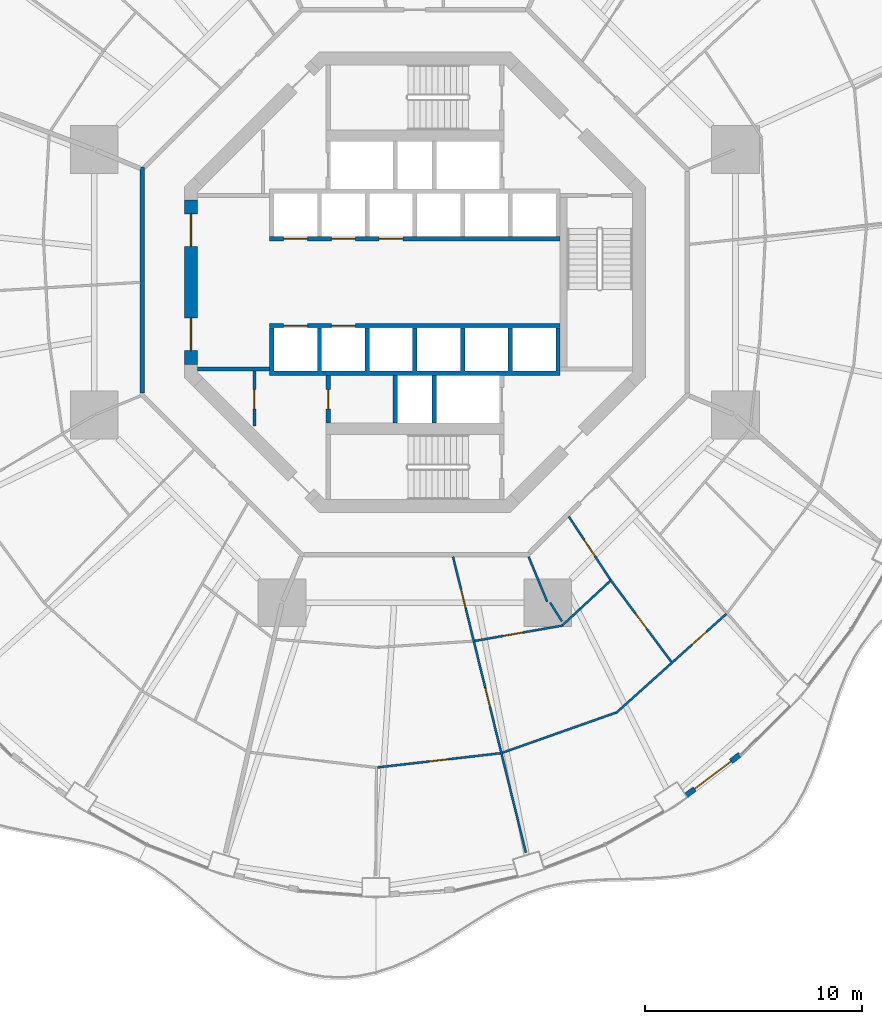
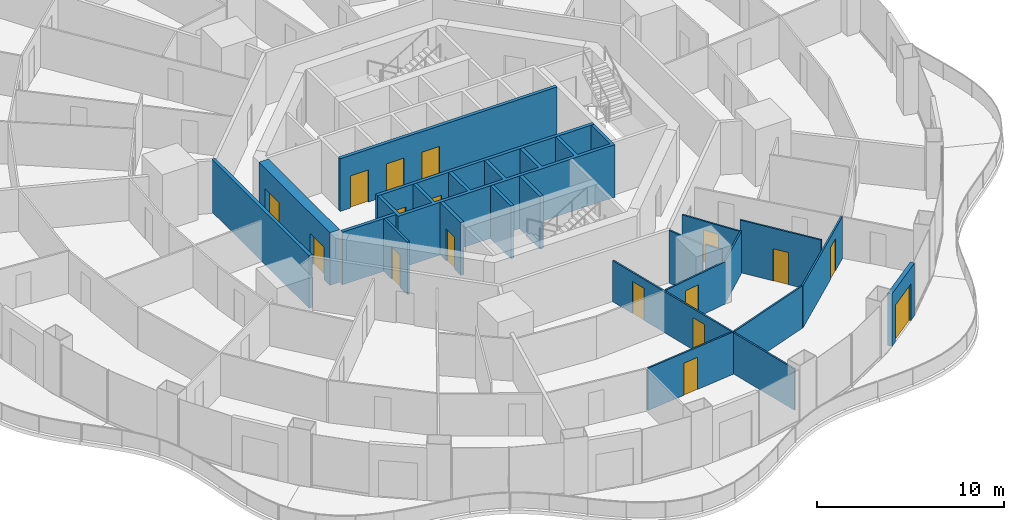
# One storey, part 15 of 22: 21 walls, 17 doors, 17 openings.
"""IFC4 building model written with IfcOpenShell, lengths in metres."""

from ifc_helpers import new_model, si_unit, direction, frame, frame_2d, origin, place, context, subcontext, project, spatial, polyline, rectangle, outline, extrude, material, layer, layer_set, type_object, element, fill, save


model = new_model("IFC4")

# Units and contexts
model_context = context("Model", 3, precision=1e-05, world=origin(), true_north=direction((0.0, 1.0)))
body_context = subcontext(model_context, "Body", "Model", "MODEL_VIEW")
ifc_project = project(units=[si_unit("LENGTHUNIT", "METRE"), si_unit("AREAUNIT", "SQUARE_METRE"), si_unit("VOLUMEUNIT", "CUBIC_METRE"), si_unit("PLANEANGLEUNIT", "RADIAN"), si_unit("MASSUNIT", "GRAM", prefix="KILO")], contexts=[model_context])

# Site, building, storey
site_placement = place(None, origin())
site = spatial("IfcSite", under=ifc_project, at=site_placement, CompositionType="ELEMENT")
building_placement = place(site_placement, origin())
building = spatial("IfcBuilding", under=site, at=building_placement, Name="Nagisa Residences", CompositionType="ELEMENT")
storey_placement = place(building_placement, frame((0.0, 0.0, 99.199951171875)))
storey = spatial("IfcBuildingStorey", under=building, at=storey_placement, Name="L24", CompositionType="ELEMENT", Elevation=99.199951171875)

# Wall
ifc_material_1 = material(Name="Gypsum board on steel studs", Category="steel")
ifc_layer_1 = layer(ifc_material_1, 0.199951171875)
ifc_layer_set_1 = layer_set([ifc_layer_1], Name="Apartment entry wall EI60 200")
wall_type_1 = type_object("IfcWallType", Name="Apartment entry wall EI60 200", PredefinedType="PARTITIONING", material=ifc_layer_set_1)
wall_1_placement = place(storey_placement, frame((-12.564697265625, 5.304443359375, 0.0), z_axis=(0.0, 0.0, 1.0), x_axis=(0.0, -1.0, 0.0)))
element("IfcWall", 1, at=wall_1_placement, inside=storey, type_object=wall_type_1, Name="wall:L24:u14", PredefinedType="PARTITIONING", context=body_context, shape_type="SweptSolid", body=[
    extrude(rectangle(XDim=10.408935546875, YDim=0.199951171875, at=frame_2d((5.20458984375, 0.0))), origin(), (0.0, 0.0, 1.0), 3.43994140625),
])

# Wall, opening, door
ifc_material_2 = material(Name="Gypsum board on steel studs", Category="steel")
ifc_layer_2 = layer(ifc_material_2, 0.10009765625)
ifc_layer_set_2 = layer_set([ifc_layer_2], Name="Apartment partition 100")
wall_type_2 = type_object("IfcWallType", Name="Apartment partition 100", PredefinedType="PARTITIONING", material=ifc_layer_set_2)
wall_2_placement = place(storey_placement, frame((-1.7255859375, -22.375244140625, 0.0), z_axis=(0.0, 0.0, 1.0), x_axis=(0.99339223329, 0.114768771187, 0.0)))
wall_2 = element("IfcWall", 2, at=wall_2_placement, inside=storey, type_object=wall_type_2, Name="wall:L24:u76", PredefinedType="PARTITIONING", context=body_context, shape_type="SweptSolid", body=[
    extrude(rectangle(XDim=5.700927734375, YDim=0.10009765625, at=frame_2d((2.8505859375, 0.0))), origin(), (0.0, 0.0, 1.0), 2.761962890625),
])
opening_1_placement = place(wall_2_placement, frame((2.400390625, 0.0, 0.0)))
opening_1 = element("IfcOpeningElement", 3, at=opening_1_placement, cuts=wall_2, Name="Opening L24-U26", PredefinedType="OPENING", context=body_context, shape_type="SweptSolid", body=[
    extrude(rectangle(XDim=0.89990234375, YDim=2.10009765625, at=frame_2d((0.449951171875, 1.050048828125))), frame((0.0, 0.06005859375, 0.0), z_axis=(0.0, -1.0, 0.0), x_axis=(1.0, 0.0, 0.0)), (0.0, 0.0, 1.0), 0.1201171875),
])
ifc_material_3 = material(Name="Timber door set", Category="wood")
door_type_1 = type_object("IfcDoorType", Name="Apartment door 900x2100", OperationType="NOTDEFINED", PredefinedType="DOOR", material=ifc_material_3)
door_1_placement = place(opening_1_placement, frame((0.89990234375, 0.0, 0.0), x_axis=(-1.0, 0.0, 0.0)))
door_1 = element("IfcDoor", 4, at=door_1_placement, inside=storey, type_object=door_type_1, Name="Door to kitchen, Apartment 24B", OperationType="SINGLE_SWING_LEFT", OverallHeight=2.10009765625, OverallWidth=0.89990234375, PredefinedType="DOOR", context=body_context, shape_type="SweptSolid", body=[
    extrude(rectangle(XDim=0.89990234375, YDim=2.10009765625, at=frame_2d((0.449951171875, 1.050048828125))), frame((0.0, 0.02490234375, 0.0), z_axis=(0.0, -1.0, 0.0), x_axis=(1.0, 0.0, 0.0)), (0.0, 0.0, 1.0), 0.050048828125),
])
fill(opening_1, door_1)

# Wall, openings, doors
wall_3_placement = place(storey_placement, frame((1.7587890625, -12.661865234375, 0.0), z_axis=(0.0, 0.0, 1.0), x_axis=(0.239021819854, -0.971014196412, 0.0)))
wall_3 = element("IfcWall", 5, at=wall_3_placement, inside=storey, type_object=wall_type_2, Name="wall:L24:u77", PredefinedType="PARTITIONING", context=body_context, shape_type="SweptSolid", body=[
    extrude(rectangle(XDim=14.049560546875, YDim=0.10009765625, at=frame_2d((7.02490234375, 0.0))), origin(), (0.0, 0.0, 1.0), 2.68701171875),
])
opening_2_placement = place(wall_3_placement, frame((6.213623046875, 0.0, 0.0)))
opening_2 = element("IfcOpeningElement", 6, at=opening_2_placement, cuts=wall_3, Name="Opening L24-U23", PredefinedType="OPENING", context=body_context, shape_type="SweptSolid", body=[
    extrude(rectangle(XDim=0.89990234375, YDim=2.10009765625, at=frame_2d((0.449951171875, 1.050048828125))), frame((0.0, 0.06005859375, 0.0), z_axis=(0.0, -1.0, 0.0), x_axis=(1.0, 0.0, 0.0)), (0.0, 0.0, 1.0), 0.1201171875),
])
opening_3_placement = place(wall_3_placement, frame((1.552001953125, 0.0, 0.0)))
opening_3 = element("IfcOpeningElement", 7, at=opening_3_placement, cuts=wall_3, Name="Opening L24-U27", PredefinedType="OPENING", context=body_context, shape_type="SweptSolid", body=[
    extrude(rectangle(XDim=0.89990234375, YDim=2.10009765625, at=frame_2d((0.449951171875, 1.050048828125))), frame((0.0, 0.06005859375, 0.0), z_axis=(0.0, -1.0, 0.0), x_axis=(1.0, 0.0, 0.0)), (0.0, 0.0, 1.0), 0.1201171875),
])
door_2_placement = place(opening_2_placement, frame((0.89990234375, 0.0, 0.0), x_axis=(-1.0, 0.0, 0.0)))
door_2 = element("IfcDoor", 8, at=door_2_placement, inside=storey, type_object=door_type_1, Name="Door to dining room, Apartment 24B", OperationType="SINGLE_SWING_RIGHT", OverallHeight=2.10009765625, OverallWidth=0.89990234375, PredefinedType="DOOR", context=body_context, shape_type="SweptSolid", body=[
    extrude(rectangle(XDim=0.89990234375, YDim=2.10009765625, at=frame_2d((0.449951171875, 1.050048828125))), frame((0.0, 0.02490234375, 0.0), z_axis=(0.0, -1.0, 0.0), x_axis=(1.0, 0.0, 0.0)), (0.0, 0.0, 1.0), 0.050048828125),
])
fill(opening_2, door_2)
door_3_placement = place(opening_3_placement, frame((0.89990234375, 0.0, 0.0), x_axis=(-1.0, 0.0, 0.0)))
door_3 = element("IfcDoor", 9, at=door_3_placement, inside=storey, type_object=door_type_1, Name="Door to store, Apartment 24B", OperationType="SINGLE_SWING_RIGHT", OverallHeight=2.10009765625, OverallWidth=0.89990234375, PredefinedType="DOOR", context=body_context, shape_type="SweptSolid", body=[
    extrude(rectangle(XDim=0.89990234375, YDim=2.10009765625, at=frame_2d((0.449951171875, 1.050048828125))), frame((0.0, 0.02490234375, 0.0), z_axis=(0.0, -1.0, 0.0), x_axis=(1.0, 0.0, 0.0)), (0.0, 0.0, 1.0), 0.050048828125),
])
fill(opening_3, door_3)

# Wall, opening, door
wall_4_placement = place(storey_placement, frame((2.76513671875, -16.541015625, 0.0), z_axis=(0.0, 0.0, 1.0), x_axis=(0.984998612286, 0.172562260633, 0.0)))
wall_4 = element("IfcWall", 10, at=wall_4_placement, inside=storey, type_object=wall_type_2, Name="wall:L24:u78", PredefinedType="PARTITIONING", context=body_context, shape_type="SweptSolid", body=[
    extrude(rectangle(XDim=4.134033203125, YDim=0.10009765625, at=frame_2d((2.06689453125, 0.0))), origin(), (0.0, 0.0, 1.0), 2.761962890625),
])
opening_4_placement = place(wall_4_placement, frame((1.343505859375, 0.0, 0.0)))
opening_4 = element("IfcOpeningElement", 11, at=opening_4_placement, cuts=wall_4, Name="Opening L24-U22", PredefinedType="OPENING", context=body_context, shape_type="SweptSolid", body=[
    extrude(rectangle(XDim=0.89990234375, YDim=2.10009765625, at=frame_2d((0.449951171875, 1.050048828125))), frame((0.0, 0.06005859375, 0.0), z_axis=(0.0, -1.0, 0.0), x_axis=(1.0, 0.0, 0.0)), (0.0, 0.0, 1.0), 0.1201171875),
])
door_4_placement = place(opening_4_placement, origin())
door_4 = element("IfcDoor", 12, at=door_4_placement, inside=storey, type_object=door_type_1, Name="Door to laundry, Apartment 24B", OperationType="SINGLE_SWING_RIGHT", OverallHeight=2.10009765625, OverallWidth=0.89990234375, PredefinedType="DOOR", context=body_context, shape_type="SweptSolid", body=[
    extrude(rectangle(XDim=0.89990234375, YDim=2.10009765625, at=frame_2d((0.449951171875, 1.050048828125))), frame((0.0, 0.02490234375, 0.0), z_axis=(0.0, -1.0, 0.0), x_axis=(1.0, 0.0, 0.0)), (0.0, 0.0, 1.0), 0.050048828125),
])
fill(opening_4, door_4)

# Walls
wall_5_placement = place(storey_placement, frame((4.034423828125, -21.698486328125, 0.0), z_axis=(0.0, 0.0, 1.0), x_axis=(0.942864271692, 0.333177077794, 0.0)))
element("IfcWall", 13, at=wall_5_placement, inside=storey, type_object=wall_type_2, Name="wall:L24:u79", PredefinedType="PARTITIONING", context=body_context, shape_type="SweptSolid", body=[
    extrude(rectangle(XDim=5.544921875, YDim=0.10009765625, at=frame_2d((2.7724609375, 0.0))), origin(), (0.0, 0.0, 1.0), 2.761962890625),
])
wall_6_placement = place(storey_placement, frame((5.24267578125, -12.6572265625, 0.0), z_axis=(0.0, 0.0, 1.0), x_axis=(0.382719158442, -0.923864733477, 0.0)))
element("IfcWall", 14, at=wall_6_placement, inside=storey, type_object=wall_type_2, Name="wall:L24:u80", PredefinedType="PARTITIONING", context=body_context, shape_type="SweptSolid", body=[
    extrude(rectangle(XDim=2.25, YDim=0.10009765625, at=frame_2d((1.125, 0.0))), origin(), (0.0, 0.0, 1.0), 3.43994140625),
])
wall_7_placement = place(storey_placement, frame((6.824462890625, -15.80224609375, 0.0), z_axis=(0.0, 0.0, 1.0), x_axis=(0.733007232109, 0.680220844782, 0.0)))
element("IfcWall", 15, at=wall_7_placement, inside=storey, type_object=wall_type_2, Name="wall:L24:u81", PredefinedType="PARTITIONING", context=body_context, shape_type="SweptSolid", body=[
    extrude(rectangle(XDim=2.96923828125, YDim=0.10009765625, at=frame_2d((1.484619140625, 0.0))), origin(), (0.0, 0.0, 1.0), 2.761962890625),
])

# Wall, opening, door
wall_8_placement = place(storey_placement, frame((9.2724609375, -19.86767578125, 0.0), z_axis=(0.0, 0.0, 1.0), x_axis=(0.743884413566, 0.668308296562, 0.0)))
wall_8 = element("IfcWall", 16, at=wall_8_placement, inside=storey, type_object=wall_type_2, Name="wall:L24:u82", PredefinedType="PARTITIONING", context=body_context, shape_type="SweptSolid", body=[
    extrude(rectangle(XDim=6.84521484375, YDim=0.10009765625, at=frame_2d((3.422607421875, 0.0))), origin(), (0.0, 0.0, 1.0), 2.761962890625),
])
opening_5_placement = place(wall_8_placement, frame((4.708984375, 0.0, 0.0)))
opening_5 = element("IfcOpeningElement", 17, at=opening_5_placement, cuts=wall_8, Name="Opening L24-U20", PredefinedType="OPENING", context=body_context, shape_type="SweptSolid", body=[
    extrude(rectangle(XDim=0.89990234375, YDim=2.10009765625, at=frame_2d((0.449951171875, 1.050048828125))), frame((0.0, 0.06005859375, 0.0), z_axis=(0.0, -1.0, 0.0), x_axis=(1.0, 0.0, 0.0)), (0.0, 0.0, 1.0), 0.1201171875),
])
door_5_placement = place(opening_5_placement, frame((0.89990234375, 0.0, 0.0), x_axis=(-1.0, 0.0, 0.0)))
door_5 = element("IfcDoor", 18, at=door_5_placement, inside=storey, type_object=door_type_1, Name="Door to living room, Apartment 24B", OperationType="SINGLE_SWING_LEFT", OverallHeight=2.10009765625, OverallWidth=0.89990234375, PredefinedType="DOOR", context=body_context, shape_type="SweptSolid", body=[
    extrude(rectangle(XDim=0.89990234375, YDim=2.10009765625, at=frame_2d((0.449951171875, 1.050048828125))), frame((0.0, 0.02490234375, 0.0), z_axis=(0.0, -1.0, 0.0), x_axis=(1.0, 0.0, 0.0)), (0.0, 0.0, 1.0), 0.050048828125),
])
fill(opening_5, door_5)

wall_9_placement = place(storey_placement, frame((7.099609375, -10.80810546875, 0.0), z_axis=(0.0, 0.0, 1.0), x_axis=(0.550294419528, -0.834970689208, 0.0)))
wall_9 = element("IfcWall", 19, at=wall_9_placement, inside=storey, type_object=wall_type_2, Name="wall:L24:u83", PredefinedType="PARTITIONING", context=body_context, shape_type="SweptSolid", body=[
    extrude(rectangle(XDim=3.4716796875, YDim=0.10009765625, at=frame_2d((1.73583984375, 0.0))), origin(), (0.0, 0.0, 1.0), 2.68701171875),
])
opening_6_placement = place(wall_9_placement, frame((1.285888671875, 0.0, 0.0)))
opening_6 = element("IfcOpeningElement", 20, at=opening_6_placement, cuts=wall_9, Name="Opening L24-U16", PredefinedType="OPENING", context=body_context, shape_type="SweptSolid", body=[
    extrude(rectangle(XDim=0.89990234375, YDim=2.10009765625, at=frame_2d((0.449951171875, 1.050048828125))), frame((0.0, 0.06005859375, 0.0), z_axis=(0.0, -1.0, 0.0), x_axis=(1.0, 0.0, 0.0)), (0.0, 0.0, 1.0), 0.1201171875),
])
door_6_placement = place(opening_6_placement, frame((0.89990234375, 0.0, 0.0), x_axis=(-1.0, 0.0, 0.0)))
door_6 = element("IfcDoor", 21, at=door_6_placement, inside=storey, type_object=door_type_1, Name="Door to family bathroom, Apartment 24B", OperationType="SINGLE_SWING_LEFT", OverallHeight=2.10009765625, OverallWidth=0.89990234375, PredefinedType="DOOR", context=body_context, shape_type="SweptSolid", body=[
    extrude(rectangle(XDim=0.89990234375, YDim=2.10009765625, at=frame_2d((0.449951171875, 1.050048828125))), frame((0.0, 0.02490234375, 0.0), z_axis=(0.0, -1.0, 0.0), x_axis=(1.0, 0.0, 0.0)), (0.0, 0.0, 1.0), 0.050048828125),
])
fill(opening_6, door_6)

wall_10_placement = place(storey_placement, frame((9.0078125, -13.70849609375, 0.0), z_axis=(0.0, 0.0, 1.0), x_axis=(0.595845850207, -0.803098825047, 0.0)))
wall_10 = element("IfcWall", 22, at=wall_10_placement, inside=storey, type_object=wall_type_2, Name="wall:L24:u84", PredefinedType="PARTITIONING", context=body_context, shape_type="SweptSolid", body=[
    extrude(rectangle(XDim=4.7294921875, YDim=0.10009765625, at=frame_2d((2.36474609375, 0.0))), origin(), (0.0, 0.0, 1.0), 3.43994140625),
])
opening_7_placement = place(wall_10_placement, frame((1.939697265625, 0.0, 0.0)))
opening_7 = element("IfcOpeningElement", 23, at=opening_7_placement, cuts=wall_10, Name="Opening L24-U18", PredefinedType="OPENING", context=body_context, shape_type="SweptSolid", body=[
    extrude(rectangle(XDim=0.89990234375, YDim=2.10009765625, at=frame_2d((0.449951171875, 1.050048828125))), frame((0.0, 0.06005859375, 0.0), z_axis=(0.0, -1.0, 0.0), x_axis=(1.0, 0.0, 0.0)), (0.0, 0.0, 1.0), 0.1201171875),
])
door_7_placement = place(opening_7_placement, frame((0.89990234375, 0.0, 0.0), x_axis=(-1.0, 0.0, 0.0)))
door_7 = element("IfcDoor", 24, at=door_7_placement, inside=storey, type_object=door_type_1, Name="Door to kitchen, Apartment 24B", OperationType="SINGLE_SWING_LEFT", OverallHeight=2.10009765625, OverallWidth=0.89990234375, PredefinedType="DOOR", context=body_context, shape_type="SweptSolid", body=[
    extrude(rectangle(XDim=0.89990234375, YDim=2.10009765625, at=frame_2d((0.449951171875, 1.050048828125))), frame((0.0, 0.02490234375, 0.0), z_axis=(0.0, -1.0, 0.0), x_axis=(1.0, 0.0, 0.0)), (0.0, 0.0, 1.0), 0.050048828125),
])
fill(opening_7, door_7)

# Wall
wall_11_placement = place(storey_placement, frame((6.781005859375, -15.637939453125, 0.0), z_axis=(0.0, 0.0, 1.0), x_axis=(-0.533419461524, 0.845850860417, 0.0)))
element("IfcWall", 25, at=wall_11_placement, inside=storey, type_object=wall_type_2, Name="wall:L24:u91", PredefinedType="PARTITIONING", context=body_context, shape_type="SweptSolid", body=[
    extrude(rectangle(XDim=1.025146484375, YDim=0.10009765625, at=frame_2d((0.5126953125, 0.0))), origin(), (0.0, 0.0, 1.0), 3.43994140625),
])

# Wall, opening, door
ifc_material_4 = material(Name="Precast concrete C40/50", Category="concrete")
ifc_layer_3 = layer(ifc_material_4, 0.25)
ifc_layer_set_3 = layer_set([ifc_layer_3], Name="BALCONY DOOR WALL 250")
wall_type_3 = type_object("IfcWallType", Name="BALCONY DOOR WALL 250", PredefinedType="SOLIDWALL", material=ifc_layer_set_3)
wall_12_placement = place(storey_placement, frame((14.98388671875, -21.785400390625, 0.0), z_axis=(0.0, 0.0, 1.0), x_axis=(-0.796037575978, -0.605247203736, 0.0)))
wall_12 = element("IfcWall", 26, at=wall_12_placement, inside=storey, type_object=wall_type_3, Name="wall:L24:bay40", PredefinedType="SOLIDWALL", context=body_context, shape_type="SweptSolid", body=[
    extrude(rectangle(XDim=3.1337890625, YDim=0.25, at=frame_2d((1.56689453125, 0.0))), origin(), (0.0, 0.0, 1.0), 3.43994140625),
])
opening_8_placement = place(wall_12_placement, frame((0.51708984375, 0.0, 0.0)))
opening_8 = element("IfcOpeningElement", 27, at=opening_8_placement, cuts=wall_12, Name="Opening BD-L24-14", PredefinedType="OPENING", context=body_context, shape_type="SweptSolid", body=[
    extrude(rectangle(XDim=2.10009765625, YDim=2.39990234375, at=frame_2d((1.050048828125, 1.199951171875))), frame((0.0, 0.135009765625, 0.0), z_axis=(0.0, -1.0, 0.0), x_axis=(1.0, 0.0, 0.0)), (0.0, 0.0, 1.0), 0.27001953125),
])
ifc_material_5 = material(Name="Aluminium and clear glass", Category="aluminium")
door_type_2 = type_object("IfcDoorType", Name="BALCONY SLIDING DOOR 2100x2400", OperationType="SLIDING_TO_LEFT", PredefinedType="DOOR", material=ifc_material_5)
door_8_placement = place(opening_8_placement, origin())
door_8 = element("IfcDoor", 28, at=door_8_placement, inside=storey, type_object=door_type_2, Name="door:L24:bay40", OperationType="SLIDING_TO_LEFT", OverallHeight=2.39990234375, OverallWidth=2.10009765625, PredefinedType="DOOR", context=body_context, shape_type="SweptSolid", body=[
    extrude(rectangle(XDim=2.10009765625, YDim=2.39990234375, at=frame_2d((1.050048828125, 1.199951171875))), frame((0.0, 0.02490234375, 0.0), z_axis=(0.0, -1.0, 0.0), x_axis=(1.0, 0.0, 0.0)), (0.0, 0.0, 1.0), 0.050048828125),
])
fill(opening_8, door_8)

ifc_material_6 = material(Name="Gypsum board on steel studs", Category="steel")
ifc_layer_4 = layer(ifc_material_6, 0.14990234375)
ifc_layer_set_4 = layer_set([ifc_layer_4], Name="Core partition 150")
wall_type_4 = type_object("IfcWallType", Name="Core partition 150", PredefinedType="PARTITIONING", material=ifc_layer_set_4)
wall_13_placement = place(storey_placement, frame((-7.39990234375, -6.626953125, 0.0), z_axis=(0.0, 0.0, 1.0), x_axis=(0.0, 1.0, 0.0)))
wall_13 = element("IfcWall", 29, at=wall_13_placement, inside=storey, type_object=wall_type_4, Name="wall:L24:SWp", PredefinedType="PARTITIONING", context=body_context, shape_type="SweptSolid", body=[
    extrude(rectangle(XDim=2.52685546875, YDim=0.14990234375, at=frame_2d((1.263427734375, 0.0))), origin(), (0.0, 0.0, 1.0), 3.43994140625),
])
opening_9_placement = place(wall_13_placement, frame((0.77587890625, 0.0, 0.0)))
opening_9 = element("IfcOpeningElement", 30, at=opening_9_placement, cuts=wall_13, Name="Opening L24-C13", PredefinedType="OPENING", context=body_context, shape_type="SweptSolid", body=[
    extrude(rectangle(XDim=0.89990234375, YDim=2.10009765625, at=frame_2d((0.449951171875, 1.050048828125))), frame((0.0, 0.0849609375, 0.0), z_axis=(0.0, -1.0, 0.0), x_axis=(1.0, 0.0, 0.0)), (0.0, 0.0, 1.0), 0.169921875),
])
ifc_material_7 = material(Name="Steel fire door", Category="steel")
door_type_3 = type_object("IfcDoorType", Name="Fire door EI30 900x2100 single swing", OperationType="NOTDEFINED", PredefinedType="DOOR", material=ifc_material_7)
door_9_placement = place(opening_9_placement, origin())
door_9 = element("IfcDoor", 31, at=door_9_placement, inside=storey, type_object=door_type_3, Name="Valet store door L24", OperationType="SINGLE_SWING_LEFT", OverallHeight=2.10009765625, OverallWidth=0.89990234375, PredefinedType="DOOR", context=body_context, shape_type="SweptSolid", body=[
    extrude(rectangle(XDim=0.89990234375, YDim=2.10009765625, at=frame_2d((0.449951171875, 1.050048828125))), frame((0.0, 0.02490234375, 0.0), z_axis=(0.0, -1.0, 0.0), x_axis=(1.0, 0.0, 0.0)), (0.0, 0.0, 1.0), 0.050048828125),
])
fill(opening_9, door_9)

# Wall
ifc_material_8 = material(Name="Gypsum board on steel studs", Category="steel")
ifc_layer_5 = layer(ifc_material_8, 0.199951171875)
ifc_layer_set_5 = layer_set([ifc_layer_5], Name="Core partition 200")
wall_type_5 = type_object("IfcWallType", Name="Core partition 200", PredefinedType="PARTITIONING", material=ifc_layer_set_5)
wall_14_placement = place(storey_placement, frame((-10.024658203125, -4.0, 0.0), z_axis=(0.0, 0.0, 1.0), x_axis=(1.0, 0.0, 0.0)))
element("IfcWall", 32, at=wall_14_placement, inside=storey, type_object=wall_type_5, Name="wall:L24:PSW", PredefinedType="PARTITIONING", context=body_context, shape_type="SweptSolid", body=[
    extrude(rectangle(XDim=3.32470703125, YDim=0.199951171875, at=frame_2d((1.662353515625, 0.0))), origin(), (0.0, 0.0, 1.0), 3.43994140625),
])

# Wall, openings, doors
ifc_material_9 = material(Name="Concrete C60", Category="concrete")
ifc_layer_6 = layer(ifc_material_9, 0.60009765625)
ifc_layer_set_6 = layer_set([ifc_layer_6], Name="Core shear wall 600")
wall_type_6 = type_object("IfcWallType", Name="Core shear wall 600", PredefinedType="SHEAR", material=ifc_layer_set_6)
wall_15_placement = place(storey_placement, frame((-10.32470703125, 3.80078125, 0.0), z_axis=(0.0, 0.0, 1.0), x_axis=(0.0, -1.0, 0.0)))
wall_15 = element("IfcWall", 33, at=wall_15_placement, inside=storey, type_object=wall_type_6, Name="wall:L24:core:flat4", PredefinedType="SHEAR", context=body_context, shape_type="SweptSolid", body=[
    extrude(rectangle(XDim=7.6015625, YDim=0.60009765625, at=frame_2d((3.80078125, 0.0))), origin(), (0.0, 0.0, 1.0), 3.43994140625),
])
opening_10_placement = place(wall_15_placement, frame((0.65087890625, 0.0, 0.0)))
opening_10 = element("IfcOpeningElement", 34, at=opening_10_placement, cuts=wall_15, Name="Opening L24-C17", PredefinedType="OPENING", context=body_context, shape_type="SweptSolid", body=[
    extrude(rectangle(XDim=1.5, YDim=2.10009765625, at=frame_2d((0.75, 1.050048828125))), frame((0.0, 0.31005859375, 0.0), z_axis=(0.0, -1.0, 0.0), x_axis=(1.0, 0.0, 0.0)), (0.0, 0.0, 1.0), 0.6201171875),
])
opening_11_placement = place(wall_15_placement, frame((5.450927734375, 0.0, 0.0)))
opening_11 = element("IfcOpeningElement", 35, at=opening_11_placement, cuts=wall_15, Name="Opening L24-C18", PredefinedType="OPENING", context=body_context, shape_type="SweptSolid", body=[
    extrude(rectangle(XDim=1.5, YDim=2.10009765625, at=frame_2d((0.75, 1.050048828125))), frame((0.0, 0.31005859375, 0.0), z_axis=(0.0, -1.0, 0.0), x_axis=(1.0, 0.0, 0.0)), (0.0, 0.0, 1.0), 0.6201171875),
])
ifc_material_10 = material(Name="Steel fire door", Category="steel")
door_type_4 = type_object("IfcDoorType", Name="Fire door EI60 1500x2100 double door single swing", OperationType="DOUBLE_DOOR_SINGLE_SWING", PredefinedType="DOOR", material=ifc_material_10)
door_10_placement = place(opening_10_placement, origin())
door_10 = element("IfcDoor", 36, at=door_10_placement, inside=storey, type_object=door_type_4, Name="Lift lobby door L24 1", OperationType="DOUBLE_DOOR_SINGLE_SWING", OverallHeight=2.10009765625, OverallWidth=1.5, PredefinedType="DOOR", context=body_context, shape_type="SweptSolid", body=[
    extrude(rectangle(XDim=1.5, YDim=2.10009765625, at=frame_2d((0.75, 1.050048828125))), frame((0.0, 0.02490234375, 0.0), z_axis=(0.0, -1.0, 0.0), x_axis=(1.0, 0.0, 0.0)), (0.0, 0.0, 1.0), 0.050048828125),
])
fill(opening_10, door_10)
door_11_placement = place(opening_11_placement, origin())
door_11 = element("IfcDoor", 37, at=door_11_placement, inside=storey, type_object=door_type_4, Name="Lift lobby door L24 2", OperationType="DOUBLE_DOOR_SINGLE_SWING", OverallHeight=2.10009765625, OverallWidth=1.5, PredefinedType="DOOR", context=body_context, shape_type="SweptSolid", body=[
    extrude(rectangle(XDim=1.5, YDim=2.10009765625, at=frame_2d((0.75, 1.050048828125))), frame((0.0, 0.02490234375, 0.0), z_axis=(0.0, -1.0, 0.0), x_axis=(1.0, 0.0, 0.0)), (0.0, 0.0, 1.0), 0.050048828125),
])
fill(opening_11, door_11)

ifc_material_11 = material(Name="Concrete C60", Category="concrete")
ifc_layer_7 = layer(ifc_material_11, 0.199951171875)
ifc_layer_set_7 = layer_set([ifc_layer_7], Name="Lift shaft wall 200")
wall_type_7 = type_object("IfcWallType", Name="Lift shaft wall 200", PredefinedType="SOLIDWALL", material=ifc_layer_set_7)
wall_16_placement = place(storey_placement, frame((-6.699951171875, 2.0, 0.0), z_axis=(0.0, 0.0, 1.0), x_axis=(1.0, 0.0, 0.0)))
wall_16 = element("IfcWall", 38, at=wall_16_placement, inside=storey, type_object=wall_type_7, Name="wall:L24:Nfront", PredefinedType="SOLIDWALL", context=body_context, shape_type="SweptSolid", body=[
    extrude(rectangle(XDim=13.39990234375, YDim=0.199951171875, at=frame_2d((6.699951171875, 0.0))), origin(), (0.0, 0.0, 1.0), 3.43994140625),
])
opening_12_placement = place(wall_16_placement, frame((0.64990234375, 0.0, 0.0)))
opening_12 = element("IfcOpeningElement", 39, at=opening_12_placement, cuts=wall_16, Name="Opening L24-C01", PredefinedType="OPENING", context=body_context, shape_type="SweptSolid", body=[
    extrude(rectangle(XDim=1.10009765625, YDim=2.10009765625, at=frame_2d((0.550048828125, 1.050048828125))), frame((0.0, 0.10986328125, 0.0), z_axis=(0.0, -1.0, 0.0), x_axis=(1.0, 0.0, 0.0)), (0.0, 0.0, 1.0), 0.219970703125),
])
opening_13_placement = place(wall_16_placement, frame((2.85009765625, 0.0, 0.0)))
opening_13 = element("IfcOpeningElement", 40, at=opening_13_placement, cuts=wall_16, Name="Opening L24-C02", PredefinedType="OPENING", context=body_context, shape_type="SweptSolid", body=[
    extrude(rectangle(XDim=1.10009765625, YDim=2.10009765625, at=frame_2d((0.550048828125, 1.050048828125))), frame((0.0, 0.10986328125, 0.0), z_axis=(0.0, -1.0, 0.0), x_axis=(1.0, 0.0, 0.0)), (0.0, 0.0, 1.0), 0.219970703125),
])
opening_14_placement = place(wall_16_placement, frame((5.050048828125, 0.0, 0.0)))
opening_14 = element("IfcOpeningElement", 41, at=opening_14_placement, cuts=wall_16, Name="Opening L24-C03", PredefinedType="OPENING", context=body_context, shape_type="SweptSolid", body=[
    extrude(rectangle(XDim=1.10009765625, YDim=2.10009765625, at=frame_2d((0.550048828125, 1.050048828125))), frame((0.0, 0.10986328125, 0.0), z_axis=(0.0, -1.0, 0.0), x_axis=(1.0, 0.0, 0.0)), (0.0, 0.0, 1.0), 0.219970703125),
])
ifc_material_12 = material(Name="Stainless steel", Category="steel")
door_type_5 = type_object("IfcDoorType", Name="Lift landing door 1100x2100", OperationType="DOUBLE_DOOR_SLIDING", PredefinedType="DOOR", material=ifc_material_12)
door_12_placement = place(opening_12_placement, origin())
door_12 = element("IfcDoor", 42, at=door_12_placement, inside=storey, type_object=door_type_5, Name="Landing door A1 L24", OperationType="DOUBLE_DOOR_SLIDING", OverallHeight=2.10009765625, OverallWidth=1.10009765625, PredefinedType="DOOR", context=body_context, shape_type="SweptSolid", body=[
    extrude(rectangle(XDim=1.10009765625, YDim=2.10009765625, at=frame_2d((0.550048828125, 1.050048828125))), frame((0.0, 0.02490234375, 0.0), z_axis=(0.0, -1.0, 0.0), x_axis=(1.0, 0.0, 0.0)), (0.0, 0.0, 1.0), 0.050048828125),
])
fill(opening_12, door_12)
door_13_placement = place(opening_13_placement, origin())
door_13 = element("IfcDoor", 43, at=door_13_placement, inside=storey, type_object=door_type_5, Name="Landing door A2 L24", OperationType="DOUBLE_DOOR_SLIDING", OverallHeight=2.10009765625, OverallWidth=1.10009765625, PredefinedType="DOOR", context=body_context, shape_type="SweptSolid", body=[
    extrude(rectangle(XDim=1.10009765625, YDim=2.10009765625, at=frame_2d((0.550048828125, 1.050048828125))), frame((0.0, 0.02490234375, 0.0), z_axis=(0.0, -1.0, 0.0), x_axis=(1.0, 0.0, 0.0)), (0.0, 0.0, 1.0), 0.050048828125),
])
fill(opening_13, door_13)
door_14_placement = place(opening_14_placement, origin())
door_14 = element("IfcDoor", 44, at=door_14_placement, inside=storey, type_object=door_type_5, Name="Landing door A3 L24", OperationType="DOUBLE_DOOR_SLIDING", OverallHeight=2.10009765625, OverallWidth=1.10009765625, PredefinedType="DOOR", context=body_context, shape_type="SweptSolid", body=[
    extrude(rectangle(XDim=1.10009765625, YDim=2.10009765625, at=frame_2d((0.550048828125, 1.050048828125))), frame((0.0, 0.02490234375, 0.0), z_axis=(0.0, -1.0, 0.0), x_axis=(1.0, 0.0, 0.0)), (0.0, 0.0, 1.0), 0.050048828125),
])
fill(opening_14, door_14)

# Wall, opening, door
wall_17_placement = place(storey_placement, frame((-4.0, -6.5, 0.0), z_axis=(0.0, 0.0, 1.0), x_axis=(0.0, 1.0, 0.0)))
wall_17 = element("IfcWall", 45, at=wall_17_placement, inside=storey, type_object=wall_type_7, Name="wall:L24:Sb4", PredefinedType="SOLIDWALL", context=body_context, shape_type="SweptSolid", body=[
    extrude(rectangle(XDim=2.199951171875, YDim=0.199951171875, at=frame_2d((1.10009765625, 0.0))), origin(), (0.0, 0.0, 1.0), 3.43994140625),
])
opening_15_placement = place(wall_17_placement, frame((0.64990234375, 0.0, 0.0)))
opening_15 = element("IfcOpeningElement", 46, at=opening_15_placement, cuts=wall_17, Name="Opening L24-C14", PredefinedType="OPENING", context=body_context, shape_type="SweptSolid", body=[
    extrude(rectangle(XDim=0.89990234375, YDim=2.10009765625, at=frame_2d((0.449951171875, 1.050048828125))), frame((0.0, 0.10986328125, 0.0), z_axis=(0.0, -1.0, 0.0), x_axis=(1.0, 0.0, 0.0)), (0.0, 0.0, 1.0), 0.219970703125),
])
door_15_placement = place(opening_15_placement, frame((0.89990234375, 0.0, 0.0), x_axis=(-1.0, 0.0, 0.0)))
door_15 = element("IfcDoor", 47, at=door_15_placement, inside=storey, type_object=door_type_3, Name="Refuse room door L24", OperationType="SINGLE_SWING_LEFT", OverallHeight=2.10009765625, OverallWidth=0.89990234375, PredefinedType="DOOR", context=body_context, shape_type="SweptSolid", body=[
    extrude(rectangle(XDim=0.89990234375, YDim=2.10009765625, at=frame_2d((0.449951171875, 1.050048828125))), frame((0.0, 0.02490234375, 0.0), z_axis=(0.0, -1.0, 0.0), x_axis=(1.0, 0.0, 0.0)), (0.0, 0.0, 1.0), 0.050048828125),
])
fill(opening_15, door_15)

# Wall, openings, doors
wall_18_placement = place(storey_placement, frame((-6.699951171875, -2.0, 0.0), z_axis=(0.0, 0.0, 1.0), x_axis=(1.0, 0.0, 0.0)))
wall_18 = element("IfcWall", 48, at=wall_18_placement, inside=storey, type_object=wall_type_7, Name="wall:L24:Sfront", PredefinedType="SOLIDWALL", context=body_context, shape_type="SweptSolid", body=[
    extrude(rectangle(XDim=13.39990234375, YDim=0.199951171875, at=frame_2d((6.699951171875, 0.0))), origin(), (0.0, 0.0, 1.0), 3.43994140625),
])
opening_16_placement = place(wall_18_placement, frame((0.64990234375, 0.0, 0.0)))
opening_16 = element("IfcOpeningElement", 49, at=opening_16_placement, cuts=wall_18, Name="Opening L24-C04", PredefinedType="OPENING", context=body_context, shape_type="SweptSolid", body=[
    extrude(rectangle(XDim=1.10009765625, YDim=2.10009765625, at=frame_2d((0.550048828125, 1.050048828125))), frame((0.0, 0.10986328125, 0.0), z_axis=(0.0, -1.0, 0.0), x_axis=(1.0, 0.0, 0.0)), (0.0, 0.0, 1.0), 0.219970703125),
])
opening_17_placement = place(wall_18_placement, frame((2.85009765625, 0.0, 0.0)))
opening_17 = element("IfcOpeningElement", 50, at=opening_17_placement, cuts=wall_18, Name="Opening L24-C05", PredefinedType="OPENING", context=body_context, shape_type="SweptSolid", body=[
    extrude(rectangle(XDim=1.10009765625, YDim=2.10009765625, at=frame_2d((0.550048828125, 1.050048828125))), frame((0.0, 0.10986328125, 0.0), z_axis=(0.0, -1.0, 0.0), x_axis=(1.0, 0.0, 0.0)), (0.0, 0.0, 1.0), 0.219970703125),
])
door_16_placement = place(opening_16_placement, origin())
door_16 = element("IfcDoor", 51, at=door_16_placement, inside=storey, type_object=door_type_5, Name="Landing door A4 L24", OperationType="DOUBLE_DOOR_SLIDING", OverallHeight=2.10009765625, OverallWidth=1.10009765625, PredefinedType="DOOR", context=body_context, shape_type="SweptSolid", body=[
    extrude(rectangle(XDim=1.10009765625, YDim=2.10009765625, at=frame_2d((0.550048828125, 1.050048828125))), frame((0.0, 0.02490234375, 0.0), z_axis=(0.0, -1.0, 0.0), x_axis=(1.0, 0.0, 0.0)), (0.0, 0.0, 1.0), 0.050048828125),
])
fill(opening_16, door_16)
door_17_placement = place(opening_17_placement, origin())
door_17 = element("IfcDoor", 52, at=door_17_placement, inside=storey, type_object=door_type_5, Name="Landing door A5 L24", OperationType="DOUBLE_DOOR_SLIDING", OverallHeight=2.10009765625, OverallWidth=1.10009765625, PredefinedType="DOOR", context=body_context, shape_type="SweptSolid", body=[
    extrude(rectangle(XDim=1.10009765625, YDim=2.10009765625, at=frame_2d((0.550048828125, 1.050048828125))), frame((0.0, 0.02490234375, 0.0), z_axis=(0.0, -1.0, 0.0), x_axis=(1.0, 0.0, 0.0)), (0.0, 0.0, 1.0), 0.050048828125),
])
fill(opening_17, door_17)

# Walls
for number, where, z_axis, x_axis, name in (
    (53, (-0.89990234375, -6.5, 0.0), (0.0, 0.0, 1.0), (0.0, 1.0, 0.0), "wall:L24:Sb1"),
    (54, (0.89990234375, -6.5, 0.0), (0.0, 0.0, 1.0), (0.0, 1.0, 0.0), "wall:L24:Sb2"),
):
    element("IfcWall", number, at=place(storey_placement, frame(where, z_axis=z_axis, x_axis=x_axis)), inside=storey, type_object=wall_type_7, Name=name, PredefinedType="SOLIDWALL", context=body_context, shape_type="SweptSolid", body=[
        extrude(rectangle(XDim=2.199951171875, YDim=0.199951171875, at=frame_2d((1.10009765625, 0.0))), origin(), (0.0, 0.0, 1.0), 3.43994140625),
    ])
wall_19_placement = place(storey_placement, origin())
element("IfcWall", 55, at=wall_19_placement, inside=storey, type_object=wall_type_7, Name="wall:L24:Sback", PredefinedType="SOLIDWALL", context=body_context, shape_type="SweptSolid", body=[
    extrude(outline(polyline([(-6.699951171875, -2.10009765625), (-6.5, -2.10009765625), (-6.5, -4.10009765625), (-4.5, -4.10009765625), (-4.5, -2.10009765625), (-4.300048828125, -2.10009765625), (-4.300048828125, -4.10009765625), (-2.300048828125, -4.10009765625), (-2.300048828125, -2.10009765625), (-2.10009765625, -2.10009765625), (-2.10009765625, -4.10009765625), (-0.10009765625, -4.10009765625), (-0.10009765625, -2.10009765625), (0.10009765625, -2.10009765625), (0.10009765625, -4.10009765625), (2.10009765625, -4.10009765625), (2.10009765625, -2.10009765625), (2.300048828125, -2.10009765625), (2.300048828125, -4.10009765625), (4.300048828125, -4.10009765625), (4.300048828125, -2.10009765625), (4.5, -2.10009765625), (4.5, -4.10009765625), (6.5, -4.10009765625), (6.5, -2.10009765625), (6.699951171875, -2.10009765625), (6.699951171875, -4.300048828125), (-6.699951171875, -4.300048828125), (-6.699951171875, -2.10009765625)])), origin(), (0.0, 0.0, 1.0), 3.43994140625),
])

save(model, "model.ifc")
